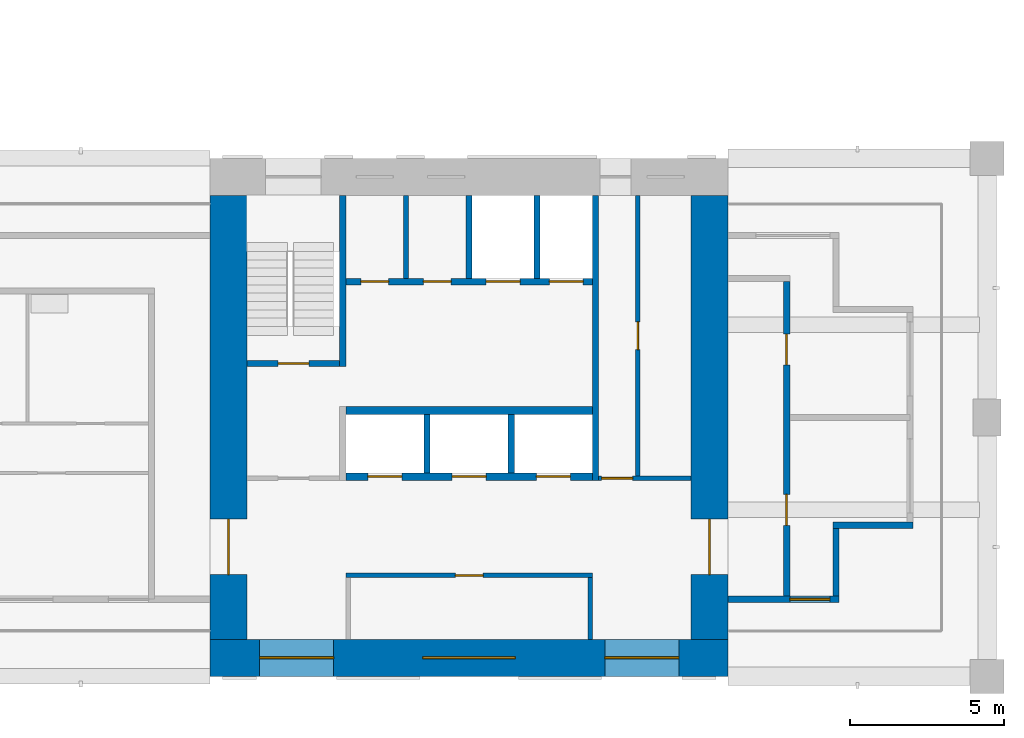
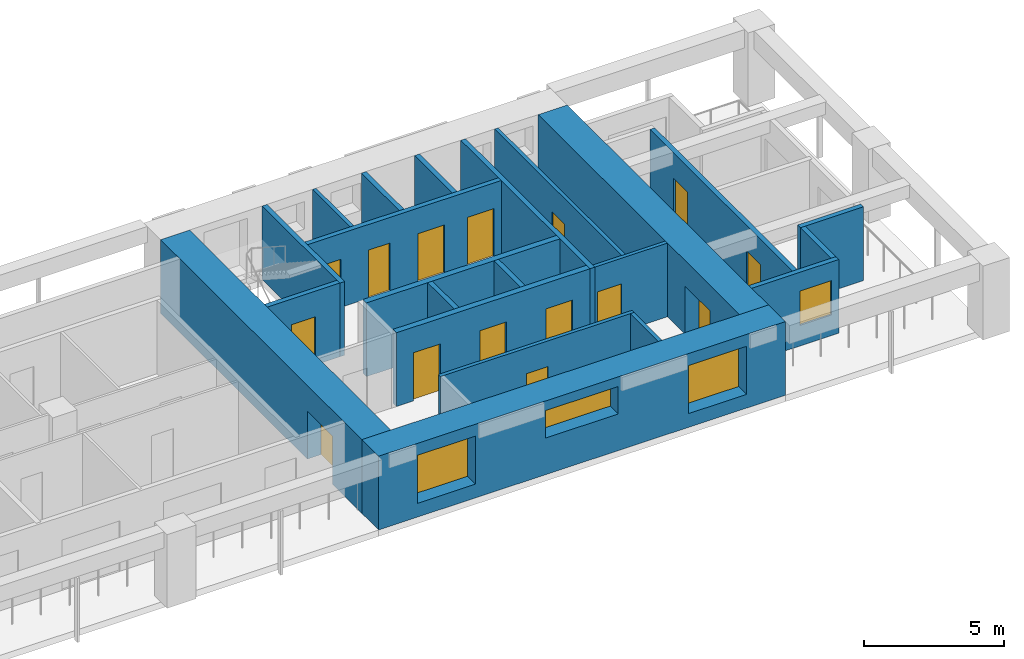
# One storey, part 4 of 10: 22 walls, 15 doors, 4 windows, 19 openings.
"""IFC4 building model written with IfcOpenShell, lengths in metres."""

from ifc_helpers import new_model, si_unit, direction, frame, frame_2d, origin, place, context, subcontext, project, spatial, rectangle, extrude, material, layer, layer_set, type_object, element, fill, save


model = new_model("IFC4")

# Units and contexts
model_context = context("Model", 3, precision=1e-05, world=origin(), true_north=direction((0.0, 1.0)))
body_context = subcontext(model_context, "Body", "Model", "MODEL_VIEW")
ifc_project = project(units=[si_unit("LENGTHUNIT", "METRE"), si_unit("AREAUNIT", "SQUARE_METRE"), si_unit("VOLUMEUNIT", "CUBIC_METRE"), si_unit("PLANEANGLEUNIT", "RADIAN"), si_unit("MASSUNIT", "GRAM", prefix="KILO")], contexts=[model_context])

# Site, building, storey
site_placement = place(None, origin())
site = spatial("IfcSite", under=ifc_project, at=site_placement, CompositionType="ELEMENT")
building_placement = place(site_placement, origin())
building = spatial("IfcBuilding", under=site, at=building_placement, Name="Vermilion Gate Residences", CompositionType="ELEMENT")
storey_placement = place(building_placement, frame((0.0, 0.0, 172.199951171875)))
storey = spatial("IfcBuildingStorey", under=building, at=storey_placement, Name="L44", CompositionType="ELEMENT", Elevation=172.199951171875)

# Wall
ifc_material_1 = material(Name="Masonry blockwork", Category="masonry")
ifc_layer_1 = layer(ifc_material_1, 0.14990234375)
ifc_layer_set_1 = layer_set([ifc_layer_1], Name="BLOCKWORK PARTITION 150 EI 120")
wall_type_1 = type_object("IfcWallType", Name="BLOCKWORK PARTITION 150 EI 120", PredefinedType="PARTITIONING", material=ifc_layer_set_1)
wall_1_placement = place(storey_placement, frame((54.324951171875, 9.60009765625, 0.0), z_axis=(0.0, 0.0, 1.0), x_axis=(0.0, 1.0, 0.0)))
element("IfcWall", 1, at=wall_1_placement, inside=storey, type_object=wall_type_1, Name="Core room partition A44-RW-E", PredefinedType="PARTITIONING", context=body_context, shape_type="SweptSolid", body=[
    extrude(rectangle(XDim=2.0, YDim=0.14990234375, at=frame_2d((1.0, 0.0))), origin(), (0.0, 0.0, 1.0), 3.219970703125),
])

# Wall, opening, door
wall_2_placement = place(storey_placement, frame((46.39990234375, 11.675048828125, 0.0), z_axis=(0.0, 0.0, 1.0), x_axis=(1.0, 0.0, 0.0)))
wall_2 = element("IfcWall", 2, at=wall_2_placement, inside=storey, type_object=wall_type_1, Name="Core room partition A44-LR-F", PredefinedType="PARTITIONING", context=body_context, shape_type="SweptSolid", body=[
    extrude(rectangle(XDim=8.0, YDim=0.14990234375, at=frame_2d((4.0, 0.0))), origin(), (0.0, 0.0, 1.0), 3.219970703125),
])
opening_1_placement = place(wall_2_placement, frame((3.550048828125, 0.0, 0.0)))
opening_1 = element("IfcOpeningElement", 3, at=opening_1_placement, cuts=wall_2, Name="Opening DK44003", PredefinedType="OPENING", context=body_context, shape_type="SweptSolid", body=[
    extrude(rectangle(XDim=0.89990234375, YDim=2.10009765625, at=frame_2d((0.449951171875, 1.050048828125))), frame((0.0, 0.0849609375, 0.0), z_axis=(0.0, -1.0, 0.0), x_axis=(1.0, 0.0, 0.0)), (0.0, 0.0, 1.0), 0.169921875),
])
ifc_material_2 = material(Name="Steel", Category="steel")
door_type_1 = type_object("IfcDoorType", Name="SERVICE ROOM DOOR FD60 900 X 2100", OperationType="SINGLE_SWING_LEFT", PredefinedType="DOOR", material=ifc_material_2)
door_1_placement = place(opening_1_placement, frame((0.89990234375, 0.0, 0.0), z_axis=(0.0, 0.0, 1.0), x_axis=(-1.0, 0.0, 0.0)))
door_1 = element("IfcDoor", 4, at=door_1_placement, inside=storey, type_object=door_type_1, Name="Housekeeping store A44", OperationType="SINGLE_SWING_RIGHT", OverallHeight=2.10009765625, OverallWidth=0.89990234375, PredefinedType="DOOR", context=body_context, shape_type="SweptSolid", body=[
    extrude(rectangle(XDim=0.89990234375, YDim=2.10009765625, at=frame_2d((0.449951171875, 1.050048828125))), frame((0.0, 0.02490234375, 0.0), z_axis=(0.0, -1.0, 0.0), x_axis=(1.0, 0.0, 0.0)), (0.0, 0.0, 1.0), 0.050048828125),
])
fill(opening_1, door_1)

# Wall
wall_3_placement = place(storey_placement, frame((48.35009765625, 21.300048828125, 0.0), z_axis=(0.0, 0.0, 1.0), x_axis=(0.0, 1.0, 0.0)))
element("IfcWall", 5, at=wall_3_placement, inside=storey, type_object=wall_type_1, Name="Core room partition A44-NR-P0", PredefinedType="PARTITIONING", context=body_context, shape_type="SweptSolid", body=[
    extrude(rectangle(XDim=2.699951171875, YDim=0.14990234375, at=frame_2d((1.35009765625, 0.0))), origin(), (0.0, 0.0, 1.0), 3.219970703125),
])

# Wall, opening, door
wall_4_placement = place(storey_placement, frame((54.60009765625, 14.824951171875, 0.0), z_axis=(0.0, 0.0, 1.0), x_axis=(1.0, 0.0, 0.0)))
wall_4 = element("IfcWall", 6, at=wall_4_placement, inside=storey, type_object=wall_type_1, Name="Core room partition A44-ES-S", PredefinedType="PARTITIONING", context=body_context, shape_type="SweptSolid", body=[
    extrude(rectangle(XDim=3.0, YDim=0.14990234375, at=frame_2d((1.5, 0.0))), origin(), (0.0, 0.0, 1.0), 3.219970703125),
])
opening_2_placement = place(wall_4_placement, frame((0.10009765625, 0.0, 0.0)))
opening_2 = element("IfcOpeningElement", 7, at=opening_2_placement, cuts=wall_4, Name="Opening DK44013", PredefinedType="OPENING", context=body_context, shape_type="SweptSolid", body=[
    extrude(rectangle(XDim=1.0, YDim=2.10009765625, at=frame_2d((0.5, 1.050048828125))), frame((0.0, 0.0849609375, 0.0), z_axis=(0.0, -1.0, 0.0), x_axis=(1.0, 0.0, 0.0)), (0.0, 0.0, 1.0), 0.169921875),
])
ifc_material_3 = material(Name="Steel", Category="steel")
door_type_2 = type_object("IfcDoorType", Name="FIRE DOOR FD60 1000 X 2100", OperationType="SINGLE_SWING_LEFT", PredefinedType="DOOR", material=ifc_material_3)
door_2_placement = place(opening_2_placement, frame((1.0, 0.0, 0.0), z_axis=(0.0, 0.0, 1.0), x_axis=(-1.0, 0.0, 0.0)))
door_2 = element("IfcDoor", 8, at=door_2_placement, inside=storey, type_object=door_type_2, Name="Service corridor door A44", OperationType="SINGLE_SWING_LEFT", OverallHeight=2.10009765625, OverallWidth=1.0, PredefinedType="DOOR", context=body_context, shape_type="SweptSolid", body=[
    extrude(rectangle(XDim=1.0, YDim=2.10009765625, at=frame_2d((0.5, 1.050048828125))), frame((0.0, 0.02490234375, 0.0), z_axis=(0.0, -1.0, 0.0), x_axis=(1.0, 0.0, 0.0)), (0.0, 0.0, 1.0), 0.050048828125),
])
fill(opening_2, door_2)

wall_5_placement = place(storey_placement, frame((55.875, 14.89990234375, 0.0), z_axis=(0.0, 0.0, 1.0), x_axis=(0.0, 1.0, 0.0)))
wall_5 = element("IfcWall", 9, at=wall_5_placement, inside=storey, type_object=wall_type_1, Name="Core room partition A44-ES-W", PredefinedType="PARTITIONING", context=body_context, shape_type="SweptSolid", body=[
    extrude(rectangle(XDim=9.10009765625, YDim=0.14990234375, at=frame_2d((4.550048828125, 0.0))), origin(), (0.0, 0.0, 1.0), 3.219970703125),
])
opening_3_placement = place(wall_5_placement, frame((4.10009765625, 0.0, 0.0)))
opening_3 = element("IfcOpeningElement", 10, at=opening_3_placement, cuts=wall_5, Name="Opening DK44014", PredefinedType="OPENING", context=body_context, shape_type="SweptSolid", body=[
    extrude(rectangle(XDim=0.89990234375, YDim=2.10009765625, at=frame_2d((0.449951171875, 1.050048828125))), frame((0.0, 0.0849609375, 0.0), z_axis=(0.0, -1.0, 0.0), x_axis=(1.0, 0.0, 0.0)), (0.0, 0.0, 1.0), 0.169921875),
])
door_3_placement = place(opening_3_placement, frame((0.89990234375, 0.0, 0.0), z_axis=(0.0, 0.0, 1.0), x_axis=(-1.0, 0.0, 0.0)))
door_3 = element("IfcDoor", 11, at=door_3_placement, inside=storey, type_object=door_type_1, Name="Electrical room A44", OperationType="SINGLE_SWING_RIGHT", OverallHeight=2.10009765625, OverallWidth=0.89990234375, PredefinedType="DOOR", context=body_context, shape_type="SweptSolid", body=[
    extrude(rectangle(XDim=0.89990234375, YDim=2.10009765625, at=frame_2d((0.449951171875, 1.050048828125))), frame((0.0, 0.02490234375, 0.0), z_axis=(0.0, -1.0, 0.0), x_axis=(1.0, 0.0, 0.0)), (0.0, 0.0, 1.0), 0.050048828125),
])
fill(opening_3, door_3)

# Wall, opening, window
ifc_material_4 = material(Name="Insulated steel stud wall with terracotta rainscreen", Category="masonry")
ifc_layer_2 = layer(ifc_material_4, 0.199951171875)
ifc_layer_set_2 = layer_set([ifc_layer_2], Name="EXTERNAL WALL 200 TERRACOTTA RAINSCREEN")
wall_type_2 = type_object("IfcWallType", Name="EXTERNAL WALL 200 TERRACOTTA RAINSCREEN", PredefinedType="SOLIDWALL", material=ifc_layer_set_2)
wall_6_placement = place(storey_placement, frame((58.800048828125, 10.89990234375, 0.0), z_axis=(0.0, 0.0, 1.0), x_axis=(1.0, 0.0, 0.0)))
wall_6 = element("IfcWall", 12, at=wall_6_placement, inside=storey, type_object=wall_type_2, Name="External wall", PredefinedType="SOLIDWALL", context=body_context, shape_type="SweptSolid", body=[
    extrude(rectangle(XDim=3.599853515625, YDim=0.199951171875, at=frame_2d((1.7998046875, 0.0))), origin(), (0.0, 0.0, 1.0), 3.219970703125),
])
opening_4_placement = place(wall_6_placement, frame((2.0, 0.0, 0.89990234375)))
opening_4 = element("IfcOpeningElement", 13, at=opening_4_placement, cuts=wall_6, Name="Opening WE44015", PredefinedType="OPENING", context=body_context, shape_type="SweptSolid", body=[
    extrude(rectangle(XDim=1.300048828125, YDim=1.5, at=frame_2d((0.64990234375, 0.75))), frame((0.0, 0.10986328125, 0.0), z_axis=(0.0, -1.0, 0.0), x_axis=(1.0, 0.0, 0.0)), (0.0, 0.0, 1.0), 0.219970703125),
])
ifc_material_5 = material(Name="Aluminium and clear glass", Category="aluminium")
window_type_1 = type_object("IfcWindowType", Name="WINDOW 1300 X 1500", PartitioningType="SINGLE_PANEL", PredefinedType="WINDOW", material=ifc_material_5)
window_1_placement = place(opening_4_placement, origin())
window_1 = element("IfcWindow", 14, at=window_1_placement, inside=storey, type_object=window_type_1, Name="Window", OverallHeight=1.5, OverallWidth=1.300048828125, PartitioningType="SINGLE_PANEL", PredefinedType="WINDOW", context=body_context, shape_type="SweptSolid", body=[
    extrude(rectangle(XDim=1.300048828125, YDim=1.5, at=frame_2d((0.64990234375, 0.75))), frame((0.0, 0.030029296875, 0.0), z_axis=(0.0, -1.0, 0.0), x_axis=(1.0, 0.0, 0.0)), (0.0, 0.0, 1.0), 0.06005859375),
])
fill(opening_4, window_1)

# Walls
wall_7_placement = place(storey_placement, frame((62.300048828125, 11.0, 0.0), z_axis=(0.0, 0.0, 1.0), x_axis=(0.0, 1.0, 0.0)))
element("IfcWall", 15, at=wall_7_placement, inside=storey, type_object=wall_type_2, Name="External wall", PredefinedType="SOLIDWALL", context=body_context, shape_type="SweptSolid", body=[
    extrude(rectangle(XDim=2.199951171875, YDim=0.199951171875, at=frame_2d((1.10009765625, 0.0))), origin(), (0.0, 0.0, 1.0), 3.219970703125),
])
wall_8_placement = place(storey_placement, frame((62.199951171875, 13.300048828125, 0.0), z_axis=(0.0, 0.0, 1.0), x_axis=(1.0, 0.0, 0.0)))
element("IfcWall", 16, at=wall_8_placement, inside=storey, type_object=wall_type_2, Name="External wall", PredefinedType="SOLIDWALL", context=body_context, shape_type="SweptSolid", body=[
    extrude(rectangle(XDim=2.60009765625, YDim=0.199951171875, at=frame_2d((1.300048828125, 0.0))), origin(), (0.0, 0.0, 1.0), 3.219970703125),
])

# Wall, openings, doors
ifc_material_6 = material(Name="Fire-rated plasterboard on steel studs", Category="steel")
ifc_layer_3 = layer(ifc_material_6, 0.199951171875)
ifc_layer_set_3 = layer_set([ifc_layer_3], Name="PARTY WALL 200 EI 120")
wall_type_3 = type_object("IfcWallType", Name="PARTY WALL 200 EI 120", PredefinedType="PARTITIONING", material=ifc_layer_set_3)
wall_9_placement = place(storey_placement, frame((60.699951171875, 10.89990234375, 0.0), z_axis=(0.0, 0.0, 1.0), x_axis=(0.0, 1.0, 0.0)))
wall_9 = element("IfcWall", 17, at=wall_9_placement, inside=storey, type_object=wall_type_3, Name="Party and corridor wall", PredefinedType="PARTITIONING", context=body_context, shape_type="SweptSolid", body=[
    extrude(rectangle(XDim=10.300048828125, YDim=0.199951171875, at=frame_2d((5.14990234375, 0.0))), origin(), (0.0, 0.0, 1.0), 3.219970703125),
])
opening_5_placement = place(wall_9_placement, frame((2.39990234375, 0.0, 0.0)))
opening_5 = element("IfcOpeningElement", 18, at=opening_5_placement, cuts=wall_9, Name="Opening DA43026", PredefinedType="OPENING", context=body_context, shape_type="SweptSolid", body=[
    extrude(rectangle(XDim=1.0, YDim=2.10009765625, at=frame_2d((0.5, 1.050048828125))), frame((0.0, 0.10986328125, 0.0), z_axis=(0.0, -1.0, 0.0), x_axis=(1.0, 0.0, 0.0)), (0.0, 0.0, 1.0), 0.219970703125),
])
opening_6_placement = place(wall_9_placement, frame((7.60009765625, 0.0, 0.0)))
opening_6 = element("IfcOpeningElement", 19, at=opening_6_placement, cuts=wall_9, Name="Opening DA43027", PredefinedType="OPENING", context=body_context, shape_type="SweptSolid", body=[
    extrude(rectangle(XDim=1.0, YDim=2.10009765625, at=frame_2d((0.5, 1.050048828125))), frame((0.0, 0.10986328125, 0.0), z_axis=(0.0, -1.0, 0.0), x_axis=(1.0, 0.0, 0.0)), (0.0, 0.0, 1.0), 0.219970703125),
])
ifc_material_7 = material(Name="Steel", Category="steel")
door_type_3 = type_object("IfcDoorType", Name="ENTRANCE DOOR 1000 X 2100 FD30", OperationType="SINGLE_SWING_LEFT", PredefinedType="DOOR", material=ifc_material_7)
door_4_placement = place(opening_5_placement, frame((1.0, 0.0, 0.0), z_axis=(0.0, 0.0, 1.0), x_axis=(-1.0, 0.0, 0.0)))
door_4 = element("IfcDoor", 20, at=door_4_placement, inside=storey, type_object=door_type_3, Name="Entrance door", OperationType="SINGLE_SWING_RIGHT", OverallHeight=2.10009765625, OverallWidth=1.0, PredefinedType="DOOR", context=body_context, shape_type="SweptSolid", body=[
    extrude(rectangle(XDim=1.0, YDim=2.10009765625, at=frame_2d((0.5, 1.050048828125))), frame((0.0, 0.02490234375, 0.0), z_axis=(0.0, -1.0, 0.0), x_axis=(1.0, 0.0, 0.0)), (0.0, 0.0, 1.0), 0.050048828125),
])
fill(opening_5, door_4)
door_5_placement = place(opening_6_placement, frame((1.0, 0.0, 0.0), z_axis=(0.0, 0.0, 1.0), x_axis=(-1.0, 0.0, 0.0)))
door_5 = element("IfcDoor", 21, at=door_5_placement, inside=storey, type_object=door_type_3, Name="Entrance door", OperationType="SINGLE_SWING_RIGHT", OverallHeight=2.10009765625, OverallWidth=1.0, PredefinedType="DOOR", context=body_context, shape_type="SweptSolid", body=[
    extrude(rectangle(XDim=1.0, YDim=2.10009765625, at=frame_2d((0.5, 1.050048828125))), frame((0.0, 0.02490234375, 0.0), z_axis=(0.0, -1.0, 0.0), x_axis=(1.0, 0.0, 0.0)), (0.0, 0.0, 1.0), 0.050048828125),
])
fill(opening_6, door_5)

# Walls
ifc_material_8 = material(Name="Concrete C60", Category="concrete")
ifc_layer_4 = layer(ifc_material_8, 0.199951171875)
ifc_layer_set_4 = layer_set([ifc_layer_4], Name="RC CORE INTERNAL WALL 200 C60")
wall_type_4 = type_object("IfcWallType", Name="RC CORE INTERNAL WALL 200 C60", PredefinedType="SHEAR", material=ifc_layer_set_4)
for number, where, z_axis, x_axis, name in (
    (22, (49.033447265625, 15.0, 0.0), (0.0, 0.0, 1.0), (0.0, 1.0, 0.0), "Core internal wall A44-HR-D1"),
    (23, (51.7666015625, 15.0, 0.0), (0.0, 0.0, 1.0), (0.0, 1.0, 0.0), "Core internal wall A44-HR-D2"),
):
    element("IfcWall", number, at=place(storey_placement, frame(where, z_axis=z_axis, x_axis=x_axis)), inside=storey, type_object=wall_type_4, Name=name, PredefinedType="SHEAR", context=body_context, shape_type="SweptSolid", body=[
        extrude(rectangle(XDim=1.89990234375, YDim=0.199951171875, at=frame_2d((0.949951171875, 0.0))), origin(), (0.0, 0.0, 1.0), 3.219970703125),
    ])
for number, where, z_axis, x_axis, name in (
    (24, (50.39990234375, 21.300048828125, 0.0), (0.0, 0.0, 1.0), (0.0, 1.0, 0.0), "Core internal wall A44-FF-D0"),
    (25, (52.60009765625, 21.300048828125, 0.0), (0.0, 0.0, 1.0), (0.0, 1.0, 0.0), "Core internal wall A44-FF-D1"),
):
    element("IfcWall", number, at=place(storey_placement, frame(where, z_axis=z_axis, x_axis=x_axis)), inside=storey, type_object=wall_type_4, Name=name, PredefinedType="SHEAR", context=body_context, shape_type="SweptSolid", body=[
        extrude(rectangle(XDim=2.699951171875, YDim=0.199951171875, at=frame_2d((1.35009765625, 0.0))), origin(), (0.0, 0.0, 1.0), 3.219970703125),
    ])

# Wall, openings, doors
wall_10_placement = place(storey_placement, frame((46.39990234375, 21.199951171875, 0.0), z_axis=(0.0, 0.0, 1.0), x_axis=(1.0, 0.0, 0.0)))
wall_10 = element("IfcWall", 26, at=wall_10_placement, inside=storey, type_object=wall_type_4, Name="Core internal wall A44-FF-F", PredefinedType="SHEAR", context=body_context, shape_type="SweptSolid", body=[
    extrude(rectangle(XDim=8.0, YDim=0.199951171875, at=frame_2d((4.0, 0.0))), origin(), (0.0, 0.0, 1.0), 3.219970703125),
])
opening_7_placement = place(wall_10_placement, frame((0.487548828125, 0.0, 0.0)))
opening_7 = element("IfcOpeningElement", 27, at=opening_7_placement, cuts=wall_10, Name="Opening DK44007", PredefinedType="OPENING", context=body_context, shape_type="SweptSolid", body=[
    extrude(rectangle(XDim=0.89990234375, YDim=2.10009765625, at=frame_2d((0.449951171875, 1.050048828125))), frame((0.0, 0.10986328125, 0.0), z_axis=(0.0, -1.0, 0.0), x_axis=(1.0, 0.0, 0.0)), (0.0, 0.0, 1.0), 0.219970703125),
])
opening_8_placement = place(wall_10_placement, frame((2.512451171875, 0.0, 0.0)))
opening_8 = element("IfcOpeningElement", 28, at=opening_8_placement, cuts=wall_10, Name="Opening DK44008", PredefinedType="OPENING", context=body_context, shape_type="SweptSolid", body=[
    extrude(rectangle(XDim=0.89990234375, YDim=2.10009765625, at=frame_2d((0.449951171875, 1.050048828125))), frame((0.0, 0.10986328125, 0.0), z_axis=(0.0, -1.0, 0.0), x_axis=(1.0, 0.0, 0.0)), (0.0, 0.0, 1.0), 0.219970703125),
])
opening_9_placement = place(wall_10_placement, frame((4.550048828125, 0.0, 0.0)))
opening_9 = element("IfcOpeningElement", 29, at=opening_9_placement, cuts=wall_10, Name="Opening LD", PredefinedType="OPENING", context=body_context, shape_type="SweptSolid", body=[
    extrude(rectangle(XDim=1.10009765625, YDim=2.10009765625, at=frame_2d((0.550048828125, 1.050048828125))), frame((0.0, 0.10986328125, 0.0), z_axis=(0.0, -1.0, 0.0), x_axis=(1.0, 0.0, 0.0)), (0.0, 0.0, 1.0), 0.219970703125),
])
opening_10_placement = place(wall_10_placement, frame((6.60009765625, 0.0, 0.0)))
opening_10 = element("IfcOpeningElement", 30, at=opening_10_placement, cuts=wall_10, Name="Opening LD", PredefinedType="OPENING", context=body_context, shape_type="SweptSolid", body=[
    extrude(rectangle(XDim=1.10009765625, YDim=2.10009765625, at=frame_2d((0.550048828125, 1.050048828125))), frame((0.0, 0.10986328125, 0.0), z_axis=(0.0, -1.0, 0.0), x_axis=(1.0, 0.0, 0.0)), (0.0, 0.0, 1.0), 0.219970703125),
])
ifc_material_9 = material(Name="Stainless steel", Category="steel")
door_type_4 = type_object("IfcDoorType", Name="LIFT LANDING DOOR E60 1100 X 2100", OperationType="DOUBLE_DOOR_SLIDING", PredefinedType="DOOR", material=ifc_material_9)
door_6_placement = place(opening_9_placement, origin())
door_6 = element("IfcDoor", 31, at=door_6_placement, inside=storey, type_object=door_type_4, Name="Lift landing door LFA1", OperationType="DOUBLE_DOOR_SLIDING", OverallHeight=2.10009765625, OverallWidth=1.10009765625, PredefinedType="DOOR", context=body_context, shape_type="SweptSolid", body=[
    extrude(rectangle(XDim=1.10009765625, YDim=2.10009765625, at=frame_2d((0.550048828125, 1.050048828125))), frame((0.0, 0.02490234375, 0.0), z_axis=(0.0, -1.0, 0.0), x_axis=(1.0, 0.0, 0.0)), (0.0, 0.0, 1.0), 0.050048828125),
])
fill(opening_9, door_6)
door_7_placement = place(opening_10_placement, origin())
door_7 = element("IfcDoor", 32, at=door_7_placement, inside=storey, type_object=door_type_4, Name="Lift landing door LCA1", OperationType="DOUBLE_DOOR_SLIDING", OverallHeight=2.10009765625, OverallWidth=1.10009765625, PredefinedType="DOOR", context=body_context, shape_type="SweptSolid", body=[
    extrude(rectangle(XDim=1.10009765625, YDim=2.10009765625, at=frame_2d((0.550048828125, 1.050048828125))), frame((0.0, 0.02490234375, 0.0), z_axis=(0.0, -1.0, 0.0), x_axis=(1.0, 0.0, 0.0)), (0.0, 0.0, 1.0), 0.050048828125),
])
fill(opening_10, door_7)
door_8_placement = place(opening_7_placement, origin())
door_8 = element("IfcDoor", 33, at=door_8_placement, inside=storey, type_object=door_type_1, Name="Parcel room A44", OperationType="SINGLE_SWING_LEFT", OverallHeight=2.10009765625, OverallWidth=0.89990234375, PredefinedType="DOOR", context=body_context, shape_type="SweptSolid", body=[
    extrude(rectangle(XDim=0.89990234375, YDim=2.10009765625, at=frame_2d((0.449951171875, 1.050048828125))), frame((0.0, 0.02490234375, 0.0), z_axis=(0.0, -1.0, 0.0), x_axis=(1.0, 0.0, 0.0)), (0.0, 0.0, 1.0), 0.050048828125),
])
fill(opening_7, door_8)
door_9_placement = place(opening_8_placement, frame((0.89990234375, 0.0, 0.0), z_axis=(0.0, 0.0, 1.0), x_axis=(-1.0, 0.0, 0.0)))
door_9 = element("IfcDoor", 34, at=door_9_placement, inside=storey, type_object=door_type_1, Name="Electrical room A44", OperationType="SINGLE_SWING_RIGHT", OverallHeight=2.10009765625, OverallWidth=0.89990234375, PredefinedType="DOOR", context=body_context, shape_type="SweptSolid", body=[
    extrude(rectangle(XDim=0.89990234375, YDim=2.10009765625, at=frame_2d((0.449951171875, 1.050048828125))), frame((0.0, 0.02490234375, 0.0), z_axis=(0.0, -1.0, 0.0), x_axis=(1.0, 0.0, 0.0)), (0.0, 0.0, 1.0), 0.050048828125),
])
fill(opening_8, door_9)

# Wall
wall_11_placement = place(storey_placement, frame((46.300048828125, 18.449951171875, 0.0), z_axis=(0.0, 0.0, 1.0), x_axis=(0.0, 1.0, 0.0)))
element("IfcWall", 35, at=wall_11_placement, inside=storey, type_object=wall_type_4, Name="Core internal wall A44-WDIV2", PredefinedType="SHEAR", context=body_context, shape_type="SweptSolid", body=[
    extrude(rectangle(XDim=5.550048828125, YDim=0.199951171875, at=frame_2d((2.77490234375, 0.0))), origin(), (0.0, 0.0, 1.0), 3.219970703125),
])

# Wall, opening, door
wall_12_placement = place(storey_placement, frame((43.199951171875, 18.550048828125, 0.0), z_axis=(0.0, 0.0, 1.0), x_axis=(1.0, 0.0, 0.0)))
wall_12 = element("IfcWall", 36, at=wall_12_placement, inside=storey, type_object=wall_type_4, Name="Core internal wall A44-STW-S", PredefinedType="SHEAR", context=body_context, shape_type="SweptSolid", body=[
    extrude(rectangle(XDim=3.0, YDim=0.199951171875, at=frame_2d((1.5, 0.0))), origin(), (0.0, 0.0, 1.0), 3.219970703125),
])
opening_11_placement = place(wall_12_placement, frame((1.0, 0.0, 0.0)))
opening_11 = element("IfcOpeningElement", 37, at=opening_11_placement, cuts=wall_12, Name="Opening DK44012", PredefinedType="OPENING", context=body_context, shape_type="SweptSolid", body=[
    extrude(rectangle(XDim=1.0, YDim=2.10009765625, at=frame_2d((0.5, 1.050048828125))), frame((0.0, 0.10986328125, 0.0), z_axis=(0.0, -1.0, 0.0), x_axis=(1.0, 0.0, 0.0)), (0.0, 0.0, 1.0), 0.219970703125),
])
door_10_placement = place(opening_11_placement, origin())
door_10 = element("IfcDoor", 38, at=door_10_placement, inside=storey, type_object=door_type_2, Name="Stair door A44", OperationType="SINGLE_SWING_LEFT", OverallHeight=2.10009765625, OverallWidth=1.0, PredefinedType="DOOR", context=body_context, shape_type="SweptSolid", body=[
    extrude(rectangle(XDim=1.0, YDim=2.10009765625, at=frame_2d((0.5, 1.050048828125))), frame((0.0, 0.02490234375, 0.0), z_axis=(0.0, -1.0, 0.0), x_axis=(1.0, 0.0, 0.0)), (0.0, 0.0, 1.0), 0.050048828125),
])
fill(opening_11, door_10)

# Wall
wall_13_placement = place(storey_placement, frame((54.5, 14.75, 0.0), z_axis=(0.0, 0.0, 1.0), x_axis=(0.0, 1.0, 0.0)))
element("IfcWall", 39, at=wall_13_placement, inside=storey, type_object=wall_type_4, Name="Core internal wall A44-EDIV", PredefinedType="SHEAR", context=body_context, shape_type="SweptSolid", body=[
    extrude(rectangle(XDim=9.25, YDim=0.199951171875, at=frame_2d((4.625, 0.0))), origin(), (0.0, 0.0, 1.0), 3.219970703125),
])

# Wall, opening, door
ifc_material_10 = material(Name="Concrete C60", Category="concrete")
ifc_layer_5 = layer(ifc_material_10, 1.199951171875)
ifc_layer_set_5 = layer_set([ifc_layer_5], Name="RC CORE WALL 1200 C60")
wall_type_5 = type_object("IfcWallType", Name="RC CORE WALL 1200 C60", PredefinedType="SHEAR", material=ifc_layer_set_5)
wall_14_placement = place(storey_placement, frame((42.60009765625, 9.60009765625, 0.0), z_axis=(0.0, 0.0, 1.0), x_axis=(0.0, 1.0, 0.0)))
wall_14 = element("IfcWall", 40, at=wall_14_placement, inside=storey, type_object=wall_type_5, Name="Core wall A44-OUT-FR", PredefinedType="SHEAR", context=body_context, shape_type="SweptSolid", body=[
    extrude(rectangle(XDim=14.39990234375, YDim=1.199951171875, at=frame_2d((7.199951171875, 0.0))), origin(), (0.0, 0.0, 1.0), 3.219970703125),
])
opening_12_placement = place(wall_14_placement, frame((2.10009765625, 0.0, 0.0)))
opening_12 = element("IfcOpeningElement", 41, at=opening_12_placement, cuts=wall_14, Name="Opening DK44001", PredefinedType="OPENING", context=body_context, shape_type="SweptSolid", body=[
    extrude(rectangle(XDim=1.800048828125, YDim=2.10009765625, at=frame_2d((0.89990234375, 1.050048828125))), frame((0.0, 0.60986328125, 0.0), z_axis=(0.0, -1.0, 0.0), x_axis=(1.0, 0.0, 0.0)), (0.0, 0.0, 1.0), 1.219970703125),
])
ifc_material_11 = material(Name="Steel", Category="steel")
door_type_5 = type_object("IfcDoorType", Name="CORE LOBBY DOOR FD60 1800 X 2100", OperationType="DOUBLE_DOOR_SINGLE_SWING", PredefinedType="DOOR", material=ifc_material_11)
door_11_placement = place(opening_12_placement, frame((1.800048828125, 0.0, 0.0), z_axis=(0.0, 0.0, 1.0), x_axis=(-1.0, 0.0, 0.0)))
door_11 = element("IfcDoor", 42, at=door_11_placement, inside=storey, type_object=door_type_5, Name="Core lobby door A44", OperationType="DOUBLE_DOOR_SINGLE_SWING", OverallHeight=2.10009765625, OverallWidth=1.800048828125, PredefinedType="DOOR", context=body_context, shape_type="SweptSolid", body=[
    extrude(rectangle(XDim=1.800048828125, YDim=2.10009765625, at=frame_2d((0.89990234375, 1.050048828125))), frame((0.0, 0.02490234375, 0.0), z_axis=(0.0, -1.0, 0.0), x_axis=(1.0, 0.0, 0.0)), (0.0, 0.0, 1.0), 0.050048828125),
])
fill(opening_12, door_11)

wall_15_placement = place(storey_placement, frame((58.199951171875, 9.60009765625, 0.0), z_axis=(0.0, 0.0, 1.0), x_axis=(0.0, 1.0, 0.0)))
wall_15 = element("IfcWall", 43, at=wall_15_placement, inside=storey, type_object=wall_type_5, Name="Core wall A44-OUT-BK", PredefinedType="SHEAR", context=body_context, shape_type="SweptSolid", body=[
    extrude(rectangle(XDim=14.39990234375, YDim=1.199951171875, at=frame_2d((7.199951171875, 0.0))), origin(), (0.0, 0.0, 1.0), 3.219970703125),
])
opening_13_placement = place(wall_15_placement, frame((2.10009765625, 0.0, 0.0)))
opening_13 = element("IfcOpeningElement", 44, at=opening_13_placement, cuts=wall_15, Name="Opening DK44002", PredefinedType="OPENING", context=body_context, shape_type="SweptSolid", body=[
    extrude(rectangle(XDim=1.800048828125, YDim=2.10009765625, at=frame_2d((0.89990234375, 1.050048828125))), frame((0.0, 0.60986328125, 0.0), z_axis=(0.0, -1.0, 0.0), x_axis=(1.0, 0.0, 0.0)), (0.0, 0.0, 1.0), 1.219970703125),
])
door_12_placement = place(opening_13_placement, origin())
door_12 = element("IfcDoor", 45, at=door_12_placement, inside=storey, type_object=door_type_5, Name="Core lobby door A44", OperationType="DOUBLE_DOOR_SINGLE_SWING", OverallHeight=2.10009765625, OverallWidth=1.800048828125, PredefinedType="DOOR", context=body_context, shape_type="SweptSolid", body=[
    extrude(rectangle(XDim=1.800048828125, YDim=2.10009765625, at=frame_2d((0.89990234375, 1.050048828125))), frame((0.0, 0.02490234375, 0.0), z_axis=(0.0, -1.0, 0.0), x_axis=(1.0, 0.0, 0.0)), (0.0, 0.0, 1.0), 0.050048828125),
])
fill(opening_13, door_12)

# Wall, openings, windows
ifc_material_12 = material(Name="Concrete C60 red-oxide pigmented", Category="concrete")
ifc_layer_6 = layer(ifc_material_12, 1.199951171875)
ifc_layer_set_6 = layer_set([ifc_layer_6], Name="RC CORE WALL 1200 C60 RED OXIDE")
wall_type_6 = type_object("IfcWallType", Name="RC CORE WALL 1200 C60 RED OXIDE", PredefinedType="SHEAR", material=ifc_layer_set_6)
wall_16_placement = place(storey_placement, frame((42.0, 9.0, 0.0), z_axis=(0.0, 0.0, 1.0), x_axis=(1.0, 0.0, 0.0)))
wall_16 = element("IfcWall", 46, at=wall_16_placement, inside=storey, type_object=wall_type_6, Name="Core wall A44-OUT-B0", PredefinedType="SHEAR", context=body_context, shape_type="SweptSolid", body=[
    extrude(rectangle(XDim=16.800048828125, YDim=1.199951171875, at=frame_2d((8.39990234375, 0.0))), origin(), (0.0, 0.0, 1.0), 3.219970703125),
])
opening_14_placement = place(wall_16_placement, frame((1.60009765625, 0.0, 0.60009765625)))
opening_14 = element("IfcOpeningElement", 47, at=opening_14_placement, cuts=wall_16, Name="Opening WKA4401", PredefinedType="OPENING", context=body_context, shape_type="SweptSolid", body=[
    extrude(rectangle(XDim=2.39990234375, YDim=2.10009765625, at=frame_2d((1.199951171875, 1.050048828125))), frame((0.0, 0.60986328125, 0.0), z_axis=(0.0, -1.0, 0.0), x_axis=(1.0, 0.0, 0.0)), (0.0, 0.0, 1.0), 1.219970703125),
])
opening_15_placement = place(wall_16_placement, frame((6.89990234375, 0.0, 1.60009765625)))
opening_15 = element("IfcOpeningElement", 48, at=opening_15_placement, cuts=wall_16, Name="Opening WKA4402", PredefinedType="OPENING", context=body_context, shape_type="SweptSolid", body=[
    extrude(rectangle(XDim=3.0, YDim=1.199951171875, at=frame_2d((1.5, 0.60009765625))), frame((0.0, 0.60986328125, 0.0), z_axis=(0.0, -1.0, 0.0), x_axis=(1.0, 0.0, 0.0)), (0.0, 0.0, 1.0), 1.219970703125),
])
opening_16_placement = place(wall_16_placement, frame((12.800048828125, 0.0, 0.60009765625)))
opening_16 = element("IfcOpeningElement", 49, at=opening_16_placement, cuts=wall_16, Name="Opening WKA4403", PredefinedType="OPENING", context=body_context, shape_type="SweptSolid", body=[
    extrude(rectangle(XDim=2.39990234375, YDim=2.10009765625, at=frame_2d((1.199951171875, 1.050048828125))), frame((0.0, 0.60986328125, 0.0), z_axis=(0.0, -1.0, 0.0), x_axis=(1.0, 0.0, 0.0)), (0.0, 0.0, 1.0), 1.219970703125),
])
ifc_material_13 = material(Name="Aluminium and clear glass", Category="aluminium")
window_type_2 = type_object("IfcWindowType", Name="CORE LOBBY WINDOW 2400 X 2100", PartitioningType="SINGLE_PANEL", PredefinedType="WINDOW", material=ifc_material_13)
window_2_placement = place(opening_14_placement, origin())
window_2 = element("IfcWindow", 50, at=window_2_placement, inside=storey, type_object=window_type_2, Name="Core lobby window", OverallHeight=2.10009765625, OverallWidth=2.39990234375, PartitioningType="SINGLE_PANEL", PredefinedType="WINDOW", context=body_context, shape_type="SweptSolid", body=[
    extrude(rectangle(XDim=2.39990234375, YDim=2.10009765625, at=frame_2d((1.199951171875, 1.050048828125))), frame((0.0, 0.030029296875, 0.0), z_axis=(0.0, -1.0, 0.0), x_axis=(1.0, 0.0, 0.0)), (0.0, 0.0, 1.0), 0.06005859375),
])
fill(opening_14, window_2)
window_3_placement = place(opening_16_placement, origin())
window_3 = element("IfcWindow", 51, at=window_3_placement, inside=storey, type_object=window_type_2, Name="Core lobby window", OverallHeight=2.10009765625, OverallWidth=2.39990234375, PartitioningType="SINGLE_PANEL", PredefinedType="WINDOW", context=body_context, shape_type="SweptSolid", body=[
    extrude(rectangle(XDim=2.39990234375, YDim=2.10009765625, at=frame_2d((1.199951171875, 1.050048828125))), frame((0.0, 0.030029296875, 0.0), z_axis=(0.0, -1.0, 0.0), x_axis=(1.0, 0.0, 0.0)), (0.0, 0.0, 1.0), 0.06005859375),
])
fill(opening_16, window_3)
ifc_material_14 = material(Name="Aluminium frame with louvre blades", Category="aluminium")
window_type_3 = type_object("IfcWindowType", Name="CORE LOUVRE 3000 X 1200", PartitioningType="SINGLE_PANEL", PredefinedType="WINDOW", material=ifc_material_14)
window_4_placement = place(opening_15_placement, origin())
window_4 = element("IfcWindow", 52, at=window_4_placement, inside=storey, type_object=window_type_3, Name="Core louvre", OverallHeight=1.199951171875, OverallWidth=3.0, PartitioningType="SINGLE_PANEL", PredefinedType="WINDOW", context=body_context, shape_type="SweptSolid", body=[
    extrude(rectangle(XDim=3.0, YDim=1.199951171875, at=frame_2d((1.5, 0.60009765625))), frame((0.0, 0.030029296875, 0.0), z_axis=(0.0, -1.0, 0.0), x_axis=(1.0, 0.0, 0.0)), (0.0, 0.0, 1.0), 0.06005859375),
])
fill(opening_15, window_4)

# Wall, openings, doors
ifc_material_15 = material(Name="Concrete C60", Category="concrete")
ifc_layer_7 = layer(ifc_material_15, 0.25)
ifc_layer_set_7 = layer_set([ifc_layer_7], Name="RC LIFT SHAFT WALL 250 C60")
wall_type_7 = type_object("IfcWallType", Name="RC LIFT SHAFT WALL 250 C60", PredefinedType="SHEAR", material=ifc_layer_set_7)
wall_17_placement = place(storey_placement, frame((46.39990234375, 14.875, 0.0), z_axis=(0.0, 0.0, 1.0), x_axis=(1.0, 0.0, 0.0)))
wall_17 = element("IfcWall", 53, at=wall_17_placement, inside=storey, type_object=wall_type_7, Name="Lift shaft wall A44-HR-F", PredefinedType="SHEAR", context=body_context, shape_type="SweptSolid", body=[
    extrude(rectangle(XDim=8.0, YDim=0.25, at=frame_2d((4.0, 0.0))), origin(), (0.0, 0.0, 1.0), 3.219970703125),
])
opening_17_placement = place(wall_17_placement, frame((0.716552734375, 0.0, 0.0)))
opening_17 = element("IfcOpeningElement", 54, at=opening_17_placement, cuts=wall_17, Name="Opening LD", PredefinedType="OPENING", context=body_context, shape_type="SweptSolid", body=[
    extrude(rectangle(XDim=1.10009765625, YDim=2.10009765625, at=frame_2d((0.550048828125, 1.050048828125))), frame((0.0, 0.135009765625, 0.0), z_axis=(0.0, -1.0, 0.0), x_axis=(1.0, 0.0, 0.0)), (0.0, 0.0, 1.0), 0.27001953125),
])
opening_18_placement = place(wall_17_placement, frame((3.449951171875, 0.0, 0.0)))
opening_18 = element("IfcOpeningElement", 55, at=opening_18_placement, cuts=wall_17, Name="Opening LD", PredefinedType="OPENING", context=body_context, shape_type="SweptSolid", body=[
    extrude(rectangle(XDim=1.10009765625, YDim=2.10009765625, at=frame_2d((0.550048828125, 1.050048828125))), frame((0.0, 0.135009765625, 0.0), z_axis=(0.0, -1.0, 0.0), x_axis=(1.0, 0.0, 0.0)), (0.0, 0.0, 1.0), 0.27001953125),
])
opening_19_placement = place(wall_17_placement, frame((6.183349609375, 0.0, 0.0)))
opening_19 = element("IfcOpeningElement", 56, at=opening_19_placement, cuts=wall_17, Name="Opening LD", PredefinedType="OPENING", context=body_context, shape_type="SweptSolid", body=[
    extrude(rectangle(XDim=1.10009765625, YDim=2.10009765625, at=frame_2d((0.550048828125, 1.050048828125))), frame((0.0, 0.135009765625, 0.0), z_axis=(0.0, -1.0, 0.0), x_axis=(1.0, 0.0, 0.0)), (0.0, 0.0, 1.0), 0.27001953125),
])
door_13_placement = place(opening_17_placement, origin())
door_13 = element("IfcDoor", 57, at=door_13_placement, inside=storey, type_object=door_type_4, Name="Lift landing door HRA1", OperationType="DOUBLE_DOOR_SLIDING", OverallHeight=2.10009765625, OverallWidth=1.10009765625, PredefinedType="DOOR", context=body_context, shape_type="SweptSolid", body=[
    extrude(rectangle(XDim=1.10009765625, YDim=2.10009765625, at=frame_2d((0.550048828125, 1.050048828125))), frame((0.0, 0.02490234375, 0.0), z_axis=(0.0, -1.0, 0.0), x_axis=(1.0, 0.0, 0.0)), (0.0, 0.0, 1.0), 0.050048828125),
])
fill(opening_17, door_13)
door_14_placement = place(opening_18_placement, origin())
door_14 = element("IfcDoor", 58, at=door_14_placement, inside=storey, type_object=door_type_4, Name="Lift landing door HRA2", OperationType="DOUBLE_DOOR_SLIDING", OverallHeight=2.10009765625, OverallWidth=1.10009765625, PredefinedType="DOOR", context=body_context, shape_type="SweptSolid", body=[
    extrude(rectangle(XDim=1.10009765625, YDim=2.10009765625, at=frame_2d((0.550048828125, 1.050048828125))), frame((0.0, 0.02490234375, 0.0), z_axis=(0.0, -1.0, 0.0), x_axis=(1.0, 0.0, 0.0)), (0.0, 0.0, 1.0), 0.050048828125),
])
fill(opening_18, door_14)
door_15_placement = place(opening_19_placement, origin())
door_15 = element("IfcDoor", 59, at=door_15_placement, inside=storey, type_object=door_type_4, Name="Lift landing door HRA3", OperationType="DOUBLE_DOOR_SLIDING", OverallHeight=2.10009765625, OverallWidth=1.10009765625, PredefinedType="DOOR", context=body_context, shape_type="SweptSolid", body=[
    extrude(rectangle(XDim=1.10009765625, YDim=2.10009765625, at=frame_2d((0.550048828125, 1.050048828125))), frame((0.0, 0.02490234375, 0.0), z_axis=(0.0, -1.0, 0.0), x_axis=(1.0, 0.0, 0.0)), (0.0, 0.0, 1.0), 0.050048828125),
])
fill(opening_19, door_15)

# Wall
wall_18_placement = place(storey_placement, frame((46.39990234375, 17.02490234375, 0.0), z_axis=(0.0, 0.0, 1.0), x_axis=(1.0, 0.0, 0.0)))
element("IfcWall", 60, at=wall_18_placement, inside=storey, type_object=wall_type_7, Name="Lift shaft wall A44-HR-B", PredefinedType="SHEAR", context=body_context, shape_type="SweptSolid", body=[
    extrude(rectangle(XDim=8.0, YDim=0.25, at=frame_2d((4.0, 0.0))), origin(), (0.0, 0.0, 1.0), 3.219970703125),
])

save(model, "model.ifc")
